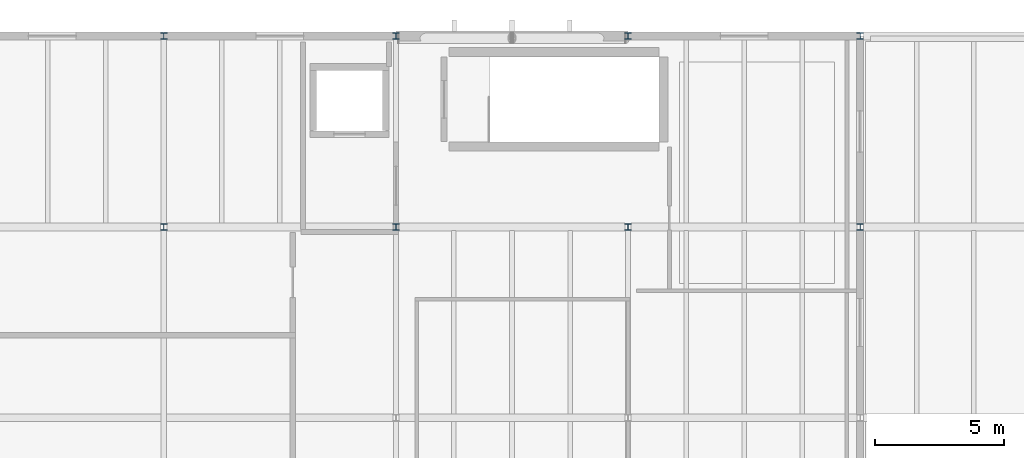
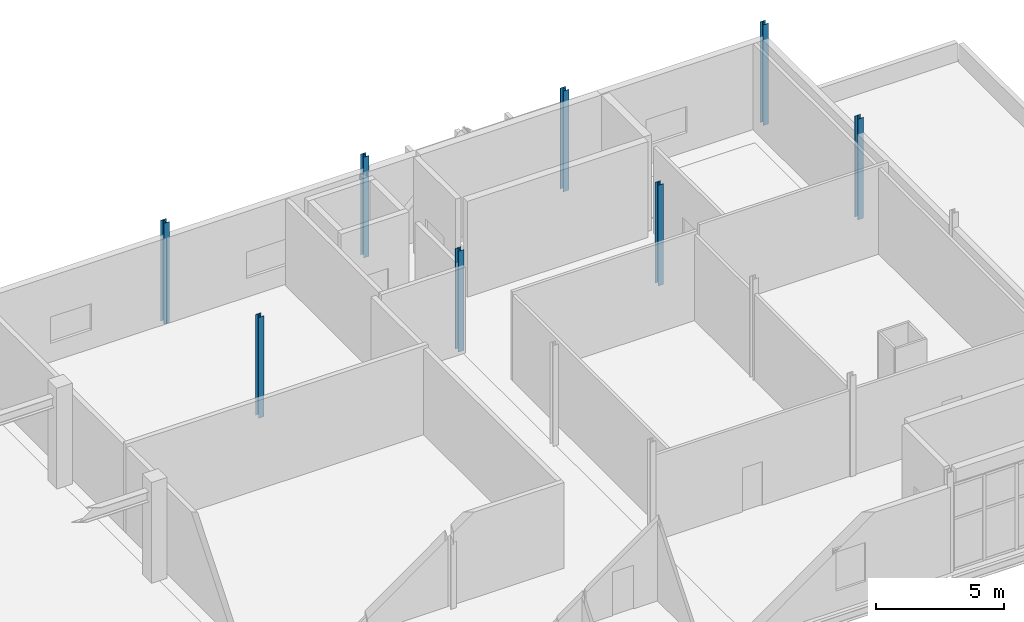
# One storey, part 3 of 14: 8 columns.
"""IFC4 building model written with IfcOpenShell, lengths in metres."""

import ifcopenshell
import ifcopenshell.guid

model = None  # the IFC model being written
_history = None  # IfcOwnerHistory: only IFC2X3 demands one
_inside = {}  # id of a spatial element -> (the spatial element, [elements in it])
_under = {}  # id of a project, library or spatial element -> (it, [spatial elements below it])
_declared = {}  # id of a project -> (the project, [libraries it declares])
_typed = {}  # id of a type object -> (the type object, [elements of that type])
_made_of = {}  # id of a material, layer set ... -> (it, [elements and type objects made of it])


def new_model(schema):
    """Start an empty IFC model of exactly this schema.

    Asked for "IFC4X3", IfcOpenShell would pick the latest addendum, in which some entities
    have other attributes; the version numbers below select the first issue.
    IFC2X3 requires an IfcOwnerHistory on every rooted entity: one is made here for all.
    """
    global model, _history
    if schema == "IFC4X3":
        model = ifcopenshell.file(schema_version=(4, 3, 0, 0))
    else:
        model = ifcopenshell.file(schema=schema)
    _inside.clear()
    _under.clear()
    _declared.clear()
    _typed.clear()
    _made_of.clear()
    _history = None
    if model.schema == "IFC2X3":
        org = make("IfcOrganization", Name="unknown")
        user = make(
            "IfcPersonAndOrganization",
            ThePerson=make("IfcPerson", FamilyName="unknown"),
            TheOrganization=org,
        )
        app = make(
            "IfcApplication",
            ApplicationDeveloper=org,
            Version="unknown",
            ApplicationFullName="unknown",
            ApplicationIdentifier="unknown",
        )
        _history = make(
            "IfcOwnerHistory",
            OwningUser=user,
            OwningApplication=app,
            ChangeAction="ADDED",
            CreationDate=0,
        )
    return model


def make(cls, **values):
    """One entity of the class cls with the attributes given. An attribute that is None is left unset."""
    return model.create_entity(
        cls, **{name: value for name, value in values.items() if value is not None}
    )


def rooted(cls, **values):
    """An entity with a GlobalId (a new one), such as an element, a storey or a relation."""
    return make(cls, GlobalId=ifcopenshell.guid.new(), OwnerHistory=_history, **values)


def si_unit(unit_type, name, prefix=None):
    """IfcSIUnit, for example si_unit("LENGTHUNIT", "METRE", prefix="MILLI")."""
    return make("IfcSIUnit", UnitType=unit_type, Prefix=prefix, Name=name)


def assignment(units):
    """IfcUnitAssignment: the units of a project."""
    return None if units is None else make("IfcUnitAssignment", Units=units)


def point(xyz):
    """IfcCartesianPoint."""
    return None if xyz is None else make("IfcCartesianPoint", Coordinates=xyz)


def direction(xyz):
    """IfcDirection."""
    return None if xyz is None else make("IfcDirection", DirectionRatios=xyz)


def frame(location, z_axis=None, x_axis=None):
    """IfcAxis2Placement3D, a coordinate frame: its origin and axes. An axis left out is left unset."""
    return make(
        "IfcAxis2Placement3D",
        Location=point(location),
        Axis=direction(z_axis),
        RefDirection=direction(x_axis),
    )


def frame_2d(location, x_axis=None):
    """IfcAxis2Placement2D, a coordinate frame in the plane: its origin and x axis."""
    return make(
        "IfcAxis2Placement2D", Location=point(location), RefDirection=direction(x_axis)
    )


def origin():
    """The frame at (0, 0, 0) with its axes left unset."""
    return frame((0.0, 0.0, 0.0))


def origin_2d():
    """The frame at (0, 0) in the plane with its x axis left unset."""
    return frame_2d((0.0, 0.0))


def place(relative_to, where):
    """IfcLocalPlacement: puts the frame where relative to a parent placement (None: the world)."""
    return make(
        "IfcLocalPlacement", PlacementRelTo=relative_to, RelativePlacement=where
    )


def context(
    kind, dimensions, precision=None, world=None, true_north=None, identifier=None
):
    """IfcGeometricRepresentationContext, for example the 3D "Model" context."""
    return make(
        "IfcGeometricRepresentationContext",
        ContextIdentifier=identifier,
        ContextType=kind,
        CoordinateSpaceDimension=dimensions,
        Precision=precision,
        WorldCoordinateSystem=world,
        TrueNorth=true_north,
    )


def subcontext(parent, identifier, kind, view, scale=None):
    """IfcGeometricRepresentationSubContext, for example "Body" below "Model"."""
    return make(
        "IfcGeometricRepresentationSubContext",
        ContextIdentifier=identifier,
        ContextType=kind,
        ParentContext=parent,
        TargetScale=scale,
        TargetView=view,
    )


def project(units=None, contexts=None):
    """IfcProject with its units and contexts."""
    return rooted(
        "IfcProject",
        Name="project",
        RepresentationContexts=contexts,
        UnitsInContext=assignment(units),
    )


def spatial(cls, under=None, at=None, **own):
    """A site, building, storey or space (cls), placed at a placement, below another one or the project."""
    s = rooted(cls, ObjectPlacement=at, **own)
    if under is not None:
        _under.setdefault(under.id(), (under, []))[1].append(s)
    return s


def profile(cls, at=None, kind="AREA", **sizes):
    """A parametric profile (cls). Its sizes go by their IFC names, for example OverallWidth=200.0."""
    return make(cls, ProfileType=kind, Position=at, **sizes)


def i_section(**sizes):
    """IfcIShapeProfileDef."""
    return profile("IfcIShapeProfileDef", **sizes)


def extrude(swept, where, along, depth):
    """IfcExtrudedAreaSolid: the profile swept, set in the frame where, extruded along a direction by depth."""
    return make(
        "IfcExtrudedAreaSolid",
        SweptArea=swept,
        Position=where,
        ExtrudedDirection=direction(along),
        Depth=depth,
    )


def shape(context_of_items, identifier, shape_type, items):
    """IfcShapeRepresentation: the items that make up one representation, for example the "Body"."""
    return make(
        "IfcShapeRepresentation",
        ContextOfItems=context_of_items,
        RepresentationIdentifier=identifier,
        RepresentationType=shape_type,
        Items=items,
    )


def material(Name=None, Category=None):
    """IfcMaterial."""
    return make("IfcMaterial", Name=Name, Category=Category)


def material_profile(
    of_material, cross_section, Name=None, Category=None, Priority=None
):
    """IfcMaterialProfile: a cross section and its material."""
    return make(
        "IfcMaterialProfile",
        Name=Name,
        Material=of_material,
        Profile=cross_section,
        Priority=Priority,
        Category=Category,
    )


def profile_set(profiles, Name=None, composite=None):
    """IfcMaterialProfileSet."""
    return make(
        "IfcMaterialProfileSet",
        Name=Name,
        MaterialProfiles=profiles,
        CompositeProfile=composite,
    )


def made_of(thing, what):
    """Note that an element or type object is made of a material, layer set ...; save() writes the relation."""
    if what is not None:
        _made_of.setdefault(what.id(), (what, []))[1].append(thing)
    return thing


def type_object(cls, material=None, **own):
    """A type object (cls), such as IfcWallType, which elements share."""
    return made_of(rooted(cls, **own), material)


def element(
    cls,
    number,
    at=None,
    inside=None,
    cuts=None,
    type_object=None,
    material=None,
    context=None,
    identifier="Body",
    shape_type=None,
    held_by="IfcProductDefinitionShape",
    body=None,
    shapes=None,
    **own,
):
    """One element of the class cls, such as IfcWall. Its Tag is "e" and its number.

    at: its placement. inside: the storey or other place that contains it. cuts: it is an
    opening in that element (IfcRelVoidsElement). A single representation is given by context,
    identifier, shape_type and body (its items); several are given by shapes. held_by: the class
    of the entity that holds the representations. save() writes the other relations.
    """
    e = rooted(cls, Tag="e%d" % number, ObjectPlacement=at, **own)
    if body is not None:
        shapes = [shape(context, identifier, shape_type, body)]
    if shapes is not None:
        e.Representation = make(held_by, Representations=shapes)
    if inside is not None:
        _inside.setdefault(inside.id(), (inside, []))[1].append(e)
    if cuts is not None:
        rooted(
            "IfcRelVoidsElement", RelatingBuildingElement=cuts, RelatedOpeningElement=e
        )
    if type_object is not None:
        _typed.setdefault(type_object.id(), (type_object, []))[1].append(e)
    return made_of(e, material)


def aggregate(whole, parts):
    """IfcRelAggregates: a whole, such as a stair, and the parts it consists of."""
    return rooted("IfcRelAggregates", RelatingObject=whole, RelatedObjects=parts)


def save(model, path):
    """Write the relations noted so far, then the file.

    IfcRelAggregates (storeys below a building ...), IfcRelContainedInSpatialStructure (elements
    in a storey), IfcRelDefinesByType, IfcRelAssociatesMaterial and IfcRelDeclares: one each for
    every whole, place, type object, material and project.
    """
    for whole, parts in _under.values():
        aggregate(whole, parts)
    for where, things in _inside.values():
        rooted(
            "IfcRelContainedInSpatialStructure",
            RelatedElements=things,
            RelatingStructure=where,
        )
    for kind, things in _typed.values():
        rooted("IfcRelDefinesByType", RelatedObjects=things, RelatingType=kind)
    for what, things in _made_of.values():
        rooted("IfcRelAssociatesMaterial", RelatedObjects=things, RelatingMaterial=what)
    for by, libraries in _declared.values():
        rooted("IfcRelDeclares", RelatingContext=by, RelatedDefinitions=libraries)
    model.write(path)


model = new_model("IFC4")

# Units and contexts
model_context = context("Model", 3, precision=1e-05, world=origin(), true_north=direction((0.0, 1.0)))
body_context = subcontext(model_context, "Body", "Model", "MODEL_VIEW")
ifc_project = project(units=[si_unit("LENGTHUNIT", "METRE"), si_unit("AREAUNIT", "SQUARE_METRE"), si_unit("VOLUMEUNIT", "CUBIC_METRE"), si_unit("PLANEANGLEUNIT", "RADIAN"), si_unit("MASSUNIT", "GRAM", prefix="KILO")], contexts=[model_context])

# Site, building, storey
site_placement = place(None, origin())
site = spatial("IfcSite", under=ifc_project, at=site_placement, CompositionType="ELEMENT")
building_placement = place(site_placement, origin())
building = spatial("IfcBuilding", under=site, at=building_placement, Name="Shengluoqiao Park Theatre", CompositionType="ELEMENT")
storey_placement = place(building_placement, frame((0.0, 0.0, 23.800048828125)))
storey = spatial("IfcBuildingStorey", under=building, at=storey_placement, Name="L05", CompositionType="ELEMENT", Elevation=23.800048828125)

# Columns
ifc_material = material(Name="Steel Q355", Category="steel")
ifc_material_profile = material_profile(ifc_material, i_section(OverallWidth=0.25, OverallDepth=0.25, WebThickness=0.009033203125, FlangeThickness=0.013916015625, FilletRadius=0.01611328125, at=origin_2d()), Name="HW 250x250x9x14")
ifc_profile_set = profile_set([ifc_material_profile], Name="Steel Q355")
column_type = type_object("IfcColumnType", Name="STR-COL-C-HW250", PredefinedType="COLUMN", material=ifc_profile_set)
for number, where, z_axis, x_axis, name in (
    (1, (121.39990234375, 106.60009765625, 0.0), (0.0, 0.0, 1.0), (1.0, 0.0, 0.0), "L05 Column 0617"),
    (2, (121.39990234375, 114.0, 0.0), (0.0, 0.0, 1.0), (1.0, 0.0, 0.0), "L05 Column 0624"),
    (3, (130.39990234375, 106.60009765625, 0.0), (0.0, 0.0, 1.0), (1.0, 0.0, 0.0), "L05 Column 0662"),
    (4, (130.39990234375, 114.0, 0.0), (0.0, 0.0, 1.0), (1.0, 0.0, 0.0), "L05 Column 0669"),
    (5, (139.39990234375, 106.60009765625, 0.0), (0.0, 0.0, 1.0), (1.0, 0.0, 0.0), "L05 Column 0707"),
    (6, (139.39990234375, 114.0, 0.0), (0.0, 0.0, 1.0), (1.0, 0.0, 0.0), "L05 Column 0714"),
    (7, (148.39990234375, 106.60009765625, 0.0), (0.0, 0.0, 1.0), (1.0, 0.0, 0.0), "L05 Column 0764"),
    (8, (148.39990234375, 114.0, 0.0), (0.0, 0.0, 1.0), (1.0, 0.0, 0.0), "L05 Column 0771"),
):
    element("IfcColumn", number, at=place(storey_placement, frame(where, z_axis=z_axis, x_axis=x_axis)), inside=storey, type_object=column_type, Name=name, PredefinedType="COLUMN", context=body_context, shape_type="SweptSolid", body=[
        extrude(i_section(OverallWidth=0.25, OverallDepth=0.25, WebThickness=0.009033203125, FlangeThickness=0.013916015625, FilletRadius=0.01611328125, at=origin_2d()), origin(), (0.0, 0.0, 1.0), 4.800048828125),
    ])

save(model, "model.ifc")
